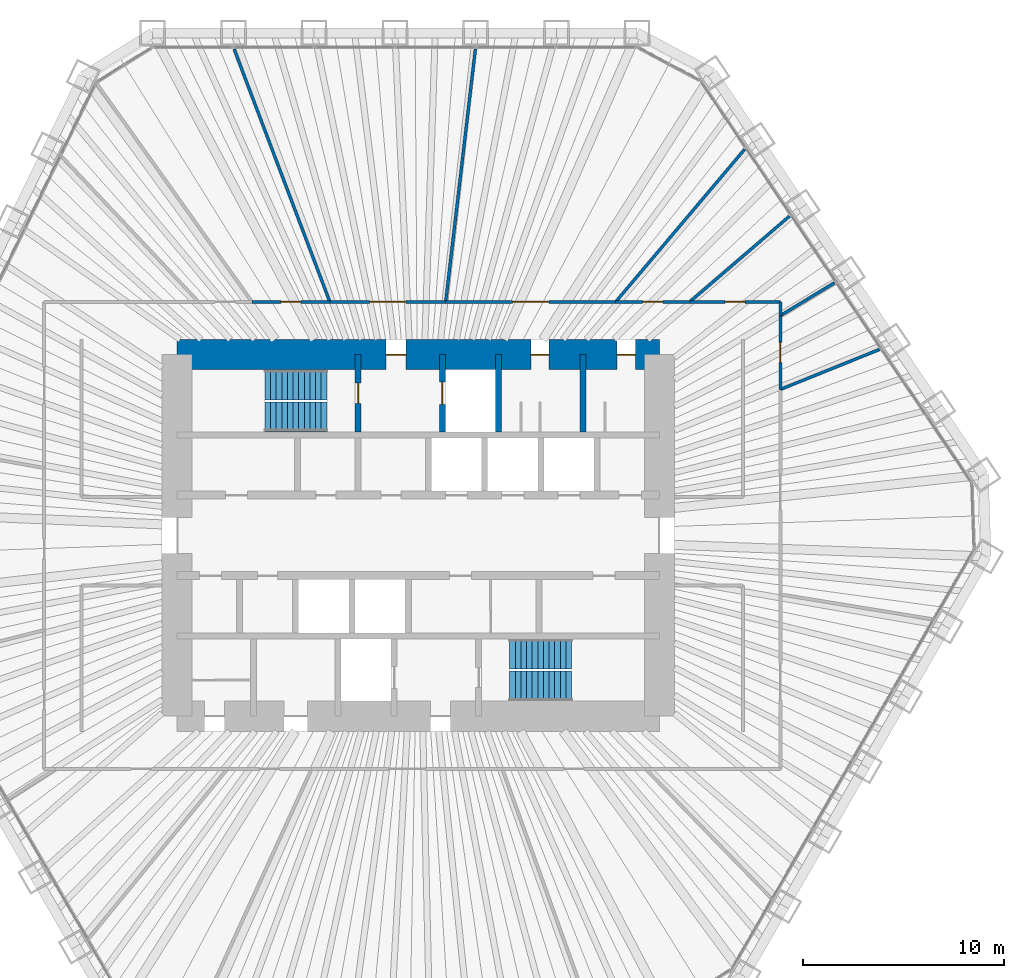
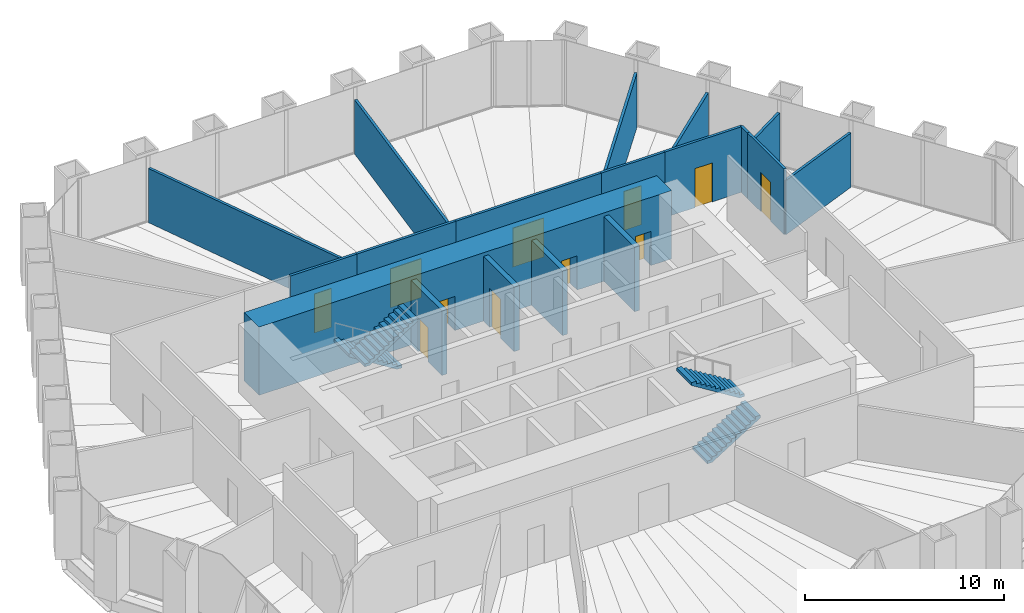
# One storey, part 12 of 13: 18 walls, 11 doors, 4 stair flights, 11 openings, 2 elements without a shape of their own.
"""IFC4 building model written with IfcOpenShell, lengths in metres."""

from ifc_helpers import new_model, si_unit, direction, frame, frame_2d, origin, place, context, subcontext, project, spatial, polyline, rectangle, outline, extrude, material, layer, layer_set, type_object, element, fill, aggregate, save


model = new_model("IFC4")

# Units and contexts
model_context = context("Model", 3, precision=1e-05, world=origin(), true_north=direction((0.0, 1.0)))
body_context = subcontext(model_context, "Body", "Model", "MODEL_VIEW")
ifc_project = project(units=[si_unit("LENGTHUNIT", "METRE"), si_unit("AREAUNIT", "SQUARE_METRE"), si_unit("VOLUMEUNIT", "CUBIC_METRE"), si_unit("PLANEANGLEUNIT", "RADIAN"), si_unit("MASSUNIT", "GRAM", prefix="KILO")], contexts=[model_context])

# Site, building, storey
site_placement = place(None, origin())
site = spatial("IfcSite", under=ifc_project, at=site_placement, CompositionType="ELEMENT")
building_placement = place(site_placement, origin())
building = spatial("IfcBuilding", under=site, at=building_placement, Name="Qingtian Harvest Tower", CompositionType="ELEMENT")
storey_placement = place(building_placement, frame((0.0, 0.0, 153.39990234375)))
storey = spatial("IfcBuildingStorey", under=building, at=storey_placement, Name="L32", CompositionType="ELEMENT", Elevation=153.39990234375)

# Wall, opening, door
ifc_material_1 = material(Name="Precast concrete shaft panel", Category="concrete")
ifc_layer_1 = layer(ifc_material_1, 0.300048828125)
ifc_layer_set_1 = layer_set([ifc_layer_1], Name="Core shaft partition SW1 300")
wall_type_1 = type_object("IfcWallType", Name="Core shaft partition SW1 300", PredefinedType="PARTITIONING", material=ifc_layer_set_1)
wall_1_placement = place(storey_placement, frame((-3.0, 5.14990234375, 0.0), z_axis=(0.0, 0.0, 1.0), x_axis=(0.0, 1.0, 0.0)))
wall_1 = element("IfcWall", 1, at=wall_1_placement, inside=storey, type_object=wall_type_1, Name="Core shaft partition XN1 L32", PredefinedType="PARTITIONING", context=body_context, shape_type="SweptSolid", body=[
    extrude(rectangle(XDim=3.85009765625, YDim=0.300048828125, at=frame_2d((1.925048828125, 0.0))), origin(), (0.0, 0.0, 1.0), 3.97998046875),
])
opening_1_placement = place(wall_1_placement, frame((1.425048828125, 0.0, 0.0)))
opening_1 = element("IfcOpeningElement", 2, at=opening_1_placement, cuts=wall_1, Name="Opening FD1", PredefinedType="OPENING", context=body_context, shape_type="SweptSolid", body=[
    extrude(rectangle(XDim=1.0, YDim=2.10009765625, at=frame_2d((0.5, 1.050048828125))), frame((0.0, 0.159912109375, 0.0), z_axis=(0.0, -1.0, 0.0), x_axis=(1.0, 0.0, 0.0)), (0.0, 0.0, 1.0), 0.320068359375),
])
ifc_material_2 = material(Name="Steel-faced door leaf", Category="steel")
door_type_1 = type_object("IfcDoorType", Name="Fire door FD1 single 1 HR", OperationType="SINGLE_SWING_LEFT", PredefinedType="DOOR", material=ifc_material_2)
door_1_placement = place(opening_1_placement, origin())
door_1 = element("IfcDoor", 3, at=door_1_placement, inside=storey, type_object=door_type_1, Name="S1 door L32", OperationType="SINGLE_SWING_RIGHT", OverallHeight=2.10009765625, OverallWidth=1.0, PredefinedType="DOOR", context=body_context, shape_type="SweptSolid", body=[
    extrude(rectangle(XDim=1.0, YDim=2.10009765625, at=frame_2d((0.5, 1.050048828125))), frame((0.0, 0.02490234375, 0.0), z_axis=(0.0, -1.0, 0.0), x_axis=(1.0, 0.0, 0.0)), (0.0, 0.0, 1.0), 0.050048828125),
])
fill(opening_1, door_1)

wall_2_placement = place(storey_placement, frame((1.199951171875, 5.14990234375, 0.0), z_axis=(0.0, 0.0, 1.0), x_axis=(0.0, 1.0, 0.0)))
wall_2 = element("IfcWall", 4, at=wall_2_placement, inside=storey, type_object=wall_type_1, Name="Core shaft partition XN2 L32", PredefinedType="PARTITIONING", context=body_context, shape_type="SweptSolid", body=[
    extrude(rectangle(XDim=3.85009765625, YDim=0.300048828125, at=frame_2d((1.925048828125, 0.0))), origin(), (0.0, 0.0, 1.0), 3.97998046875),
])
opening_2_placement = place(wall_2_placement, frame((1.375, 0.0, 0.0)))
opening_2 = element("IfcOpeningElement", 5, at=opening_2_placement, cuts=wall_2, Name="Opening LD1", PredefinedType="OPENING", context=body_context, shape_type="SweptSolid", body=[
    extrude(rectangle(XDim=1.10009765625, YDim=2.39990234375, at=frame_2d((0.550048828125, 1.199951171875))), frame((0.0, 0.159912109375, 0.0), z_axis=(0.0, -1.0, 0.0), x_axis=(1.0, 0.0, 0.0)), (0.0, 0.0, 1.0), 0.320068359375),
])
ifc_material_3 = material(Name="Stainless steel lift landing door", Category="steel")
door_type_2 = type_object("IfcDoorType", Name="Lift landing door LD1 1 HR", OperationType="DOUBLE_DOOR_SLIDING", PredefinedType="DOOR", material=ifc_material_3)
door_2_placement = place(opening_2_placement, origin())
door_2 = element("IfcDoor", 6, at=door_2_placement, inside=storey, type_object=door_type_2, Name="FL1 landing door L32", OperationType="DOUBLE_DOOR_SLIDING", OverallHeight=2.39990234375, OverallWidth=1.10009765625, PredefinedType="DOOR", context=body_context, shape_type="SweptSolid", body=[
    extrude(rectangle(XDim=1.10009765625, YDim=2.39990234375, at=frame_2d((0.550048828125, 1.199951171875))), frame((0.0, 0.02490234375, 0.0), z_axis=(0.0, -1.0, 0.0), x_axis=(1.0, 0.0, 0.0)), (0.0, 0.0, 1.0), 0.050048828125),
])
fill(opening_2, door_2)

# Walls
for number, where, z_axis, x_axis, name in (
    (7, (4.0, 5.14990234375, 0.0), (0.0, 0.0, 1.0), (0.0, 1.0, 0.0), "Core shaft partition XN3 L32"),
    (8, (8.199951171875, 5.14990234375, 0.0), (0.0, 0.0, 1.0), (0.0, 1.0, 0.0), "Core shaft partition XN4 L32"),
):
    element("IfcWall", number, at=place(storey_placement, frame(where, z_axis=z_axis, x_axis=x_axis)), inside=storey, type_object=wall_type_1, Name=name, PredefinedType="PARTITIONING", context=body_context, shape_type="SweptSolid", body=[
        extrude(rectangle(XDim=3.85009765625, YDim=0.300048828125, at=frame_2d((1.925048828125, 0.0))), origin(), (0.0, 0.0, 1.0), 3.97998046875),
    ])

# Wall, openings, doors
ifc_material_4 = material(Name="Concrete fc' 70 MPa", Category="concrete")
ifc_layer_2 = layer(ifc_material_4, 1.5)
ifc_layer_set_2 = layer_set([ifc_layer_2], Name="Core wall RC1 1500")
wall_type_2 = type_object("IfcWallType", Name="Core wall RC1 1500", PredefinedType="SHEAR", material=ifc_layer_set_2)
wall_3_placement = place(storey_placement, frame((-12.0, 9.0, 0.0), z_axis=(0.0, 0.0, 1.0), x_axis=(1.0, 0.0, 0.0)))
wall_3 = element("IfcWall", 9, at=wall_3_placement, inside=storey, type_object=wall_type_2, Name="Core wall CN L32", PredefinedType="SHEAR", context=body_context, shape_type="SweptSolid", body=[
    extrude(rectangle(XDim=24.0, YDim=1.5, at=frame_2d((12.0, 0.0))), origin(), (0.0, 0.0, 1.0), 4.2001953125),
])
opening_3_placement = place(wall_3_placement, frame((10.39990234375, 0.0, 0.0)))
opening_3 = element("IfcOpeningElement", 10, at=opening_3_placement, cuts=wall_3, Name="Opening FD1", PredefinedType="OPENING", context=body_context, shape_type="SweptSolid", body=[
    extrude(rectangle(XDim=1.0, YDim=2.10009765625, at=frame_2d((0.5, 1.050048828125))), frame((0.0, 0.760009765625, 0.0), z_axis=(0.0, -1.0, 0.0), x_axis=(1.0, 0.0, 0.0)), (0.0, 0.0, 1.0), 1.52001953125),
])
opening_4_placement = place(wall_3_placement, frame((17.60009765625, 0.0, 0.0)))
opening_4 = element("IfcOpeningElement", 11, at=opening_4_placement, cuts=wall_3, Name="Opening D1", PredefinedType="OPENING", context=body_context, shape_type="SweptSolid", body=[
    extrude(rectangle(XDim=0.89990234375, YDim=2.10009765625, at=frame_2d((0.449951171875, 1.050048828125))), frame((0.0, 0.760009765625, 0.0), z_axis=(0.0, -1.0, 0.0), x_axis=(1.0, 0.0, 0.0)), (0.0, 0.0, 1.0), 1.52001953125),
])
opening_5_placement = place(wall_3_placement, frame((21.89990234375, 0.0, 0.0)))
opening_5 = element("IfcOpeningElement", 12, at=opening_5_placement, cuts=wall_3, Name="Opening D1", PredefinedType="OPENING", context=body_context, shape_type="SweptSolid", body=[
    extrude(rectangle(XDim=0.89990234375, YDim=2.10009765625, at=frame_2d((0.449951171875, 1.050048828125))), frame((0.0, 0.760009765625, 0.0), z_axis=(0.0, -1.0, 0.0), x_axis=(1.0, 0.0, 0.0)), (0.0, 0.0, 1.0), 1.52001953125),
])
door_3_placement = place(opening_3_placement, origin())
door_3 = element("IfcDoor", 13, at=door_3_placement, inside=storey, type_object=door_type_1, Name="V1 door L32", OperationType="SINGLE_SWING_RIGHT", OverallHeight=2.10009765625, OverallWidth=1.0, PredefinedType="DOOR", context=body_context, shape_type="SweptSolid", body=[
    extrude(rectangle(XDim=1.0, YDim=2.10009765625, at=frame_2d((0.5, 1.050048828125))), frame((0.0, 0.02490234375, 0.0), z_axis=(0.0, -1.0, 0.0), x_axis=(1.0, 0.0, 0.0)), (0.0, 0.0, 1.0), 0.050048828125),
])
fill(opening_3, door_3)
ifc_material_5 = material(Name="Laminated timber door leaf", Category="wood")
door_type_3 = type_object("IfcDoorType", Name="Toilet door D1 single", OperationType="SINGLE_SWING_LEFT", PredefinedType="DOOR", material=ifc_material_5)
door_4_placement = place(opening_4_placement, origin())
door_4 = element("IfcDoor", 14, at=door_4_placement, inside=storey, type_object=door_type_3, Name="WCM door L32", OperationType="SINGLE_SWING_RIGHT", OverallHeight=2.10009765625, OverallWidth=0.89990234375, PredefinedType="DOOR", context=body_context, shape_type="SweptSolid", body=[
    extrude(rectangle(XDim=0.89990234375, YDim=2.10009765625, at=frame_2d((0.449951171875, 1.050048828125))), frame((0.0, 0.02490234375, 0.0), z_axis=(0.0, -1.0, 0.0), x_axis=(1.0, 0.0, 0.0)), (0.0, 0.0, 1.0), 0.050048828125),
])
fill(opening_4, door_4)
door_5_placement = place(opening_5_placement, origin())
door_5 = element("IfcDoor", 15, at=door_5_placement, inside=storey, type_object=door_type_3, Name="WCF door L32", OperationType="SINGLE_SWING_RIGHT", OverallHeight=2.10009765625, OverallWidth=0.89990234375, PredefinedType="DOOR", context=body_context, shape_type="SweptSolid", body=[
    extrude(rectangle(XDim=0.89990234375, YDim=2.10009765625, at=frame_2d((0.449951171875, 1.050048828125))), frame((0.0, 0.02490234375, 0.0), z_axis=(0.0, -1.0, 0.0), x_axis=(1.0, 0.0, 0.0)), (0.0, 0.0, 1.0), 0.050048828125),
])
fill(opening_5, door_5)

# Wall
ifc_material_6 = material(Name="Gypsum board on steel studs", Category="steel")
ifc_layer_3 = layer(ifc_material_6, 0.14990234375)
ifc_layer_set_3 = layer_set([ifc_layer_3], Name="Partition PT1 150")
wall_type_3 = type_object("IfcWallType", Name="Partition PT1 150", PredefinedType="PARTITIONING", material=ifc_layer_set_3)
wall_4_placement = place(storey_placement, frame((16.2373046875, 19.21044921875, 0.0), z_axis=(0.0, 0.0, 1.0), x_axis=(-0.645526723652, -0.763737683404, 0.0)))
element("IfcWall", 16, at=wall_4_placement, inside=storey, type_object=wall_type_3, Name="Private office wall L32", PredefinedType="PARTITIONING", context=body_context, shape_type="SweptSolid", body=[
    extrude(rectangle(XDim=9.93212890625, YDim=0.14990234375, at=frame_2d((4.966064453125, 0.0))), origin(), (0.0, 0.0, 1.0), 3.330078125),
])

# Wall, opening, door
wall_5_placement = place(storey_placement, frame((9.825927734375, 11.625, 0.0), z_axis=(0.0, 0.0, 1.0), x_axis=(1.0, 0.0, 0.0)))
wall_5 = element("IfcWall", 17, at=wall_5_placement, inside=storey, type_object=wall_type_3, Name="Private office wall L32", PredefinedType="PARTITIONING", context=body_context, shape_type="SweptSolid", body=[
    extrude(rectangle(XDim=3.689453125, YDim=0.14990234375, at=frame_2d((1.8447265625, 0.0))), origin(), (0.0, 0.0, 1.0), 4.030029296875),
])
opening_6_placement = place(wall_5_placement, frame((1.3447265625, 0.0, 0.0)))
opening_6 = element("IfcOpeningElement", 18, at=opening_6_placement, cuts=wall_5, Name="Opening D2", PredefinedType="OPENING", context=body_context, shape_type="SweptSolid", body=[
    extrude(rectangle(XDim=1.0, YDim=2.39990234375, at=frame_2d((0.5, 1.199951171875))), frame((0.0, 0.0849609375, 0.0), z_axis=(0.0, -1.0, 0.0), x_axis=(1.0, 0.0, 0.0)), (0.0, 0.0, 1.0), 0.169921875),
])
ifc_material_7 = material(Name="Laminated timber door leaf", Category="wood")
door_type_4 = type_object("IfcDoorType", Name="Room door D2 single", OperationType="SINGLE_SWING_LEFT", PredefinedType="DOOR", material=ifc_material_7)
door_6_placement = place(opening_6_placement, origin())
door_6 = element("IfcDoor", 19, at=door_6_placement, inside=storey, type_object=door_type_4, Name="Private office door L32", OperationType="SINGLE_SWING_LEFT", OverallHeight=2.39990234375, OverallWidth=1.0, PredefinedType="DOOR", context=body_context, shape_type="SweptSolid", body=[
    extrude(rectangle(XDim=1.0, YDim=2.39990234375, at=frame_2d((0.5, 1.199951171875))), frame((0.0, 0.02490234375, 0.0), z_axis=(0.0, -1.0, 0.0), x_axis=(1.0, 0.0, 0.0)), (0.0, 0.0, 1.0), 0.050048828125),
])
fill(opening_6, door_6)

# Wall
wall_6_placement = place(storey_placement, frame((18.4736328125, 15.8896484375, 0.0), z_axis=(0.0, 0.0, 1.0), x_axis=(-0.758143486665, -0.65208776528, 0.0)))
element("IfcWall", 20, at=wall_6_placement, inside=storey, type_object=wall_type_3, Name="Private office wall L32", PredefinedType="PARTITIONING", context=body_context, shape_type="SweptSolid", body=[
    extrude(rectangle(XDim=6.5400390625, YDim=0.14990234375, at=frame_2d((3.27001953125, 0.0))), origin(), (0.0, 0.0, 1.0), 3.330078125),
])

# Wall, opening, door
wall_7_placement = place(storey_placement, frame((13.515380859375, 11.625, 0.0), z_axis=(0.0, 0.0, 1.0), x_axis=(1.0, 0.0, 0.0)))
wall_7 = element("IfcWall", 21, at=wall_7_placement, inside=storey, type_object=wall_type_3, Name="Private office wall L32", PredefinedType="PARTITIONING", context=body_context, shape_type="SweptSolid", body=[
    extrude(rectangle(XDim=4.509521484375, YDim=0.14990234375, at=frame_2d((2.2548828125, 0.0))), origin(), (0.0, 0.0, 1.0), 4.030029296875),
])
opening_7_placement = place(wall_7_placement, frame((1.7548828125, 0.0, 0.0)))
opening_7 = element("IfcOpeningElement", 22, at=opening_7_placement, cuts=wall_7, Name="Opening D2", PredefinedType="OPENING", context=body_context, shape_type="SweptSolid", body=[
    extrude(rectangle(XDim=1.0, YDim=2.39990234375, at=frame_2d((0.5, 1.199951171875))), frame((0.0, 0.0849609375, 0.0), z_axis=(0.0, -1.0, 0.0), x_axis=(1.0, 0.0, 0.0)), (0.0, 0.0, 1.0), 0.169921875),
])
door_7_placement = place(opening_7_placement, origin())
door_7 = element("IfcDoor", 23, at=door_7_placement, inside=storey, type_object=door_type_4, Name="Private office door L32", OperationType="SINGLE_SWING_RIGHT", OverallHeight=2.39990234375, OverallWidth=1.0, PredefinedType="DOOR", context=body_context, shape_type="SweptSolid", body=[
    extrude(rectangle(XDim=1.0, YDim=2.39990234375, at=frame_2d((0.5, 1.199951171875))), frame((0.0, 0.02490234375, 0.0), z_axis=(0.0, -1.0, 0.0), x_axis=(1.0, 0.0, 0.0)), (0.0, 0.0, 1.0), 0.050048828125),
])
fill(opening_7, door_7)

# Walls
wall_8_placement = place(storey_placement, frame((18.02490234375, 11.625, 0.0), z_axis=(0.0, 0.0, 1.0), x_axis=(0.0, -1.0, 0.0)))
element("IfcWall", 24, at=wall_8_placement, inside=storey, type_object=wall_type_3, Name="Private office wall L32", PredefinedType="PARTITIONING", context=body_context, shape_type="SweptSolid", body=[
    extrude(rectangle(XDim=0.684326171875, YDim=0.14990234375, at=frame_2d((0.34228515625, 0.0))), origin(), (0.0, 0.0, 1.0), 4.030029296875),
])
wall_9_placement = place(storey_placement, frame((20.71142578125, 12.571044921875, 0.0), z_axis=(0.0, 0.0, 1.0), x_axis=(-0.854890890653, -0.518807830587, 0.0)))
element("IfcWall", 25, at=wall_9_placement, inside=storey, type_object=wall_type_3, Name="Private office wall L32", PredefinedType="PARTITIONING", context=body_context, shape_type="SweptSolid", body=[
    extrude(rectangle(XDim=3.142578125, YDim=0.14990234375, at=frame_2d((1.5712890625, 0.0))), origin(), (0.0, 0.0, 1.0), 3.330078125),
])

# Wall, opening, door
wall_10_placement = place(storey_placement, frame((18.02490234375, 10.940673828125, 0.0), z_axis=(0.0, 0.0, 1.0), x_axis=(0.0, -1.0, 0.0)))
wall_10 = element("IfcWall", 26, at=wall_10_placement, inside=storey, type_object=wall_type_3, Name="Private office wall L32", PredefinedType="PARTITIONING", context=body_context, shape_type="SweptSolid", body=[
    extrude(rectangle(XDim=3.67333984375, YDim=0.14990234375, at=frame_2d((1.836669921875, 0.0))), origin(), (0.0, 0.0, 1.0), 4.030029296875),
])
opening_8_placement = place(wall_10_placement, frame((1.336669921875, 0.0, 0.0)))
opening_8 = element("IfcOpeningElement", 27, at=opening_8_placement, cuts=wall_10, Name="Opening D2", PredefinedType="OPENING", context=body_context, shape_type="SweptSolid", body=[
    extrude(rectangle(XDim=1.0, YDim=2.39990234375, at=frame_2d((0.5, 1.199951171875))), frame((0.0, 0.0849609375, 0.0), z_axis=(0.0, -1.0, 0.0), x_axis=(1.0, 0.0, 0.0)), (0.0, 0.0, 1.0), 0.169921875),
])
door_8_placement = place(opening_8_placement, origin())
door_8 = element("IfcDoor", 28, at=door_8_placement, inside=storey, type_object=door_type_4, Name="Private office door L32", OperationType="SINGLE_SWING_RIGHT", OverallHeight=2.39990234375, OverallWidth=1.0, PredefinedType="DOOR", context=body_context, shape_type="SweptSolid", body=[
    extrude(rectangle(XDim=1.0, YDim=2.39990234375, at=frame_2d((0.5, 1.199951171875))), frame((0.0, 0.02490234375, 0.0), z_axis=(0.0, -1.0, 0.0), x_axis=(1.0, 0.0, 0.0)), (0.0, 0.0, 1.0), 0.050048828125),
])
fill(opening_8, door_8)

# Wall
wall_11_placement = place(storey_placement, frame((22.951416015625, 9.253662109375, 0.0), z_axis=(0.0, 0.0, 1.0), x_axis=(-0.927452527427, -0.37394091695, 0.0)))
element("IfcWall", 29, at=wall_11_placement, inside=storey, type_object=wall_type_3, Name="Meeting room wall L32", PredefinedType="PARTITIONING", context=body_context, shape_type="SweptSolid", body=[
    extrude(rectangle(XDim=5.311767578125, YDim=0.14990234375, at=frame_2d((2.65576171875, 0.0))), origin(), (0.0, 0.0, 1.0), 3.330078125),
])

# Wall, opening, door
wall_12_placement = place(storey_placement, frame((-8.276611328125, 11.625, 0.0), z_axis=(0.0, 0.0, 1.0), x_axis=(1.0, 0.0, 0.0)))
wall_12 = element("IfcWall", 30, at=wall_12_placement, inside=storey, type_object=wall_type_3, Name="Private office wall L32", PredefinedType="PARTITIONING", context=body_context, shape_type="SweptSolid", body=[
    extrude(rectangle(XDim=3.8740234375, YDim=0.14990234375, at=frame_2d((1.93701171875, 0.0))), origin(), (0.0, 0.0, 1.0), 4.030029296875),
])
opening_9_placement = place(wall_12_placement, frame((1.43701171875, 0.0, 0.0)))
opening_9 = element("IfcOpeningElement", 31, at=opening_9_placement, cuts=wall_12, Name="Opening D2", PredefinedType="OPENING", context=body_context, shape_type="SweptSolid", body=[
    extrude(rectangle(XDim=1.0, YDim=2.39990234375, at=frame_2d((0.5, 1.199951171875))), frame((0.0, 0.0849609375, 0.0), z_axis=(0.0, -1.0, 0.0), x_axis=(1.0, 0.0, 0.0)), (0.0, 0.0, 1.0), 0.169921875),
])
door_9_placement = place(opening_9_placement, origin())
door_9 = element("IfcDoor", 32, at=door_9_placement, inside=storey, type_object=door_type_4, Name="Private office door L32", OperationType="SINGLE_SWING_RIGHT", OverallHeight=2.39990234375, OverallWidth=1.0, PredefinedType="DOOR", context=body_context, shape_type="SweptSolid", body=[
    extrude(rectangle(XDim=1.0, YDim=2.39990234375, at=frame_2d((0.5, 1.199951171875))), frame((0.0, 0.02490234375, 0.0), z_axis=(0.0, -1.0, 0.0), x_axis=(1.0, 0.0, 0.0)), (0.0, 0.0, 1.0), 0.050048828125),
])
fill(opening_9, door_9)

# Wall
wall_13_placement = place(storey_placement, frame((-9.167236328125, 24.20654296875, 0.0), z_axis=(0.0, 0.0, 1.0), x_axis=(0.354156368181, -0.935186220427, 0.0)))
element("IfcWall", 33, at=wall_13_placement, inside=storey, type_object=wall_type_3, Name="Collaboration lounge wall L32", PredefinedType="PARTITIONING", context=body_context, shape_type="SweptSolid", body=[
    extrude(rectangle(XDim=13.45361328125, YDim=0.14990234375, at=frame_2d((6.726806640625, 0.0))), origin(), (0.0, 0.0, 1.0), 3.330078125),
])

# Wall, opening, door
wall_14_placement = place(storey_placement, frame((-4.402587890625, 11.625, 0.0), z_axis=(0.0, 0.0, 1.0), x_axis=(1.0, 0.0, 0.0)))
wall_14 = element("IfcWall", 34, at=wall_14_placement, inside=storey, type_object=wall_type_3, Name="Collaboration lounge wall L32", PredefinedType="PARTITIONING", context=body_context, shape_type="SweptSolid", body=[
    extrude(rectangle(XDim=5.768310546875, YDim=0.14990234375, at=frame_2d((2.88427734375, 0.0))), origin(), (0.0, 0.0, 1.0), 4.030029296875),
])
opening_10_placement = place(wall_14_placement, frame((1.984130859375, 0.0, 0.0)))
opening_10 = element("IfcOpeningElement", 35, at=opening_10_placement, cuts=wall_14, Name="Opening D3", PredefinedType="OPENING", context=body_context, shape_type="SweptSolid", body=[
    extrude(rectangle(XDim=1.800048828125, YDim=2.39990234375, at=frame_2d((0.89990234375, 1.199951171875))), frame((0.0, 0.0849609375, 0.0), z_axis=(0.0, -1.0, 0.0), x_axis=(1.0, 0.0, 0.0)), (0.0, 0.0, 1.0), 0.169921875),
])
ifc_material_8 = material(Name="Laminated timber door leaf", Category="wood")
door_type_5 = type_object("IfcDoorType", Name="Room door D3 double", OperationType="DOUBLE_DOOR_DOUBLE_SWING", PredefinedType="DOOR", material=ifc_material_8)
door_10_placement = place(opening_10_placement, origin())
door_10 = element("IfcDoor", 36, at=door_10_placement, inside=storey, type_object=door_type_5, Name="Collaboration lounge door L32", OperationType="DOUBLE_DOOR_DOUBLE_SWING", OverallHeight=2.39990234375, OverallWidth=1.800048828125, PredefinedType="DOOR", context=body_context, shape_type="SweptSolid", body=[
    extrude(rectangle(XDim=1.800048828125, YDim=2.39990234375, at=frame_2d((0.89990234375, 1.199951171875))), frame((0.0, 0.02490234375, 0.0), z_axis=(0.0, -1.0, 0.0), x_axis=(1.0, 0.0, 0.0)), (0.0, 0.0, 1.0), 0.050048828125),
])
fill(opening_10, door_10)

# Wall
wall_15_placement = place(storey_placement, frame((2.843017578125, 24.20068359375, 0.0), z_axis=(0.0, 0.0, 1.0), x_axis=(-0.116670084723, -0.993170726175, 0.0)))
element("IfcWall", 37, at=wall_15_placement, inside=storey, type_object=wall_type_3, Name="Workplace zone wall L32", PredefinedType="PARTITIONING", context=body_context, shape_type="SweptSolid", body=[
    extrude(rectangle(XDim=12.662109375, YDim=0.14990234375, at=frame_2d((6.3310546875, 0.0))), origin(), (0.0, 0.0, 1.0), 3.330078125),
])

# Wall, opening, door
wall_16_placement = place(storey_placement, frame((1.36572265625, 11.625, 0.0), z_axis=(0.0, 0.0, 1.0), x_axis=(1.0, 0.0, 0.0)))
wall_16 = element("IfcWall", 38, at=wall_16_placement, inside=storey, type_object=wall_type_3, Name="Workplace zone wall L32", PredefinedType="PARTITIONING", context=body_context, shape_type="SweptSolid", body=[
    extrude(rectangle(XDim=8.460205078125, YDim=0.14990234375, at=frame_2d((4.22998046875, 0.0))), origin(), (0.0, 0.0, 1.0), 4.030029296875),
])
opening_11_placement = place(wall_16_placement, frame((3.330078125, 0.0, 0.0)))
opening_11 = element("IfcOpeningElement", 39, at=opening_11_placement, cuts=wall_16, Name="Opening D3", PredefinedType="OPENING", context=body_context, shape_type="SweptSolid", body=[
    extrude(rectangle(XDim=1.800048828125, YDim=2.39990234375, at=frame_2d((0.89990234375, 1.199951171875))), frame((0.0, 0.0849609375, 0.0), z_axis=(0.0, -1.0, 0.0), x_axis=(1.0, 0.0, 0.0)), (0.0, 0.0, 1.0), 0.169921875),
])
door_11_placement = place(opening_11_placement, origin())
door_11 = element("IfcDoor", 40, at=door_11_placement, inside=storey, type_object=door_type_5, Name="Workplace zone door L32", OperationType="DOUBLE_DOOR_DOUBLE_SWING", OverallHeight=2.39990234375, OverallWidth=1.800048828125, PredefinedType="DOOR", context=body_context, shape_type="SweptSolid", body=[
    extrude(rectangle(XDim=1.800048828125, YDim=2.39990234375, at=frame_2d((0.89990234375, 1.199951171875))), frame((0.0, 0.02490234375, 0.0), z_axis=(0.0, -1.0, 0.0), x_axis=(1.0, 0.0, 0.0)), (0.0, 0.0, 1.0), 0.050048828125),
])
fill(opening_11, door_11)

# Stair, stair flights
ifc_material_9 = material(Name="Concrete fc' 35 MPa", Category="concrete")
stair_type = type_object("IfcStairType", Name="Special stair ST3 4200", PredefinedType="HALF_TURN_STAIR", material=ifc_material_9)
stair_1_placement = place(storey_placement, origin())
stair_1 = element("IfcStair", 41, at=stair_1_placement, inside=storey, type_object=stair_type, Name="Special stair S1 L32", PredefinedType="HALF_TURN_STAIR")
ifc_material_10 = material(Name="Concrete fc' 35 MPa", Category="concrete")
stair_flight_type = type_object("IfcStairFlightType", Name="Stair flight SF3 4200", PredefinedType="STRAIGHT", material=ifc_material_10)
stair_flight_1_placement = place(storey_placement, frame((-4.550048828125, 7.5, 0.0), z_axis=(0.0, 0.0, 1.0), x_axis=(-1.0, 0.0, 0.0)))
stair_flight_1 = element("IfcStairFlight", 42, at=stair_flight_1_placement, type_object=stair_flight_type, Name="S1 flight 1", NumberOfRisers=12, NumberOfTreads=11, PredefinedType="STRAIGHT", RiserHeight=0.175, TreadLength=0.28, context=body_context, shape_type="SweptSolid", body=[
    extrude(outline(polyline([(0.0, 0.0), (0.0, 0.175048828125), (0.280029296875, 0.175048828125), (0.280029296875, 0.35009765625), (0.56005859375, 0.35009765625), (0.56005859375, 0.52490234375), (0.840087890625, 0.52490234375), (0.840087890625, 0.699951171875), (1.1201171875, 0.699951171875), (1.1201171875, 0.875), (1.39990234375, 0.875), (1.39990234375, 1.050048828125), (1.679931640625, 1.050048828125), (1.679931640625, 1.22509765625), (1.9599609375, 1.22509765625), (1.9599609375, 1.39990234375), (2.239990234375, 1.39990234375), (2.239990234375, 1.574951171875), (2.52001953125, 1.574951171875), (2.52001953125, 1.75), (2.800048828125, 1.75), (2.800048828125, 1.925048828125), (3.080078125, 1.925048828125), (3.080078125, 2.10009765625), (3.080078125, 1.748291015625), (0.28271484375, 0.0), (0.0, 0.0)])), frame((0.0, 0.75, 0.0), z_axis=(0.0, -1.0, 0.0), x_axis=(1.0, 0.0, 0.0)), (0.0, 0.0, 1.0), 1.5),
])
stair_flight_2_placement = place(storey_placement, frame((-7.6298828125, 5.89990234375, 2.10009765625), z_axis=(0.0, 0.0, 1.0), x_axis=(1.0, 0.0, 0.0)))
stair_flight_2 = element("IfcStairFlight", 43, at=stair_flight_2_placement, type_object=stair_flight_type, Name="S1 flight 2", NumberOfRisers=12, NumberOfTreads=11, PredefinedType="STRAIGHT", RiserHeight=0.175, TreadLength=0.28, context=body_context, shape_type="SweptSolid", body=[
    extrude(outline(polyline([(0.0, 0.0), (0.0, 0.175048828125), (0.280029296875, 0.175048828125), (0.280029296875, 0.35009765625), (0.56005859375, 0.35009765625), (0.56005859375, 0.52490234375), (0.840087890625, 0.52490234375), (0.840087890625, 0.699951171875), (1.1201171875, 0.699951171875), (1.1201171875, 0.875), (1.39990234375, 0.875), (1.39990234375, 1.050048828125), (1.679931640625, 1.050048828125), (1.679931640625, 1.22509765625), (1.9599609375, 1.22509765625), (1.9599609375, 1.39990234375), (2.239990234375, 1.39990234375), (2.239990234375, 1.574951171875), (2.52001953125, 1.574951171875), (2.52001953125, 1.75), (2.800048828125, 1.75), (2.800048828125, 1.925048828125), (3.080078125, 1.925048828125), (3.080078125, 2.10009765625), (3.080078125, 1.748291015625), (0.28271484375, 0.0), (0.0, 0.0)])), frame((0.0, 0.75, 0.0), z_axis=(0.0, -1.0, 0.0), x_axis=(1.0, 0.0, 0.0)), (0.0, 0.0, 1.0), 1.5),
])
aggregate(stair_1, [stair_flight_1, stair_flight_2])

stair_2_placement = place(storey_placement, origin())
stair_2 = element("IfcStair", 44, at=stair_2_placement, inside=storey, type_object=stair_type, Name="Special stair S2 L32", PredefinedType="HALF_TURN_STAIR")
stair_flight_3_placement = place(storey_placement, frame((4.550048828125, -7.5, 0.0), z_axis=(0.0, 0.0, 1.0), x_axis=(1.0, 0.0, 0.0)))
stair_flight_3 = element("IfcStairFlight", 45, at=stair_flight_3_placement, type_object=stair_flight_type, Name="S2 flight 1", NumberOfRisers=12, NumberOfTreads=11, PredefinedType="STRAIGHT", RiserHeight=0.175, TreadLength=0.28, context=body_context, shape_type="SweptSolid", body=[
    extrude(outline(polyline([(0.0, 0.0), (0.0, 0.175048828125), (0.280029296875, 0.175048828125), (0.280029296875, 0.35009765625), (0.56005859375, 0.35009765625), (0.56005859375, 0.52490234375), (0.840087890625, 0.52490234375), (0.840087890625, 0.699951171875), (1.1201171875, 0.699951171875), (1.1201171875, 0.875), (1.39990234375, 0.875), (1.39990234375, 1.050048828125), (1.679931640625, 1.050048828125), (1.679931640625, 1.22509765625), (1.9599609375, 1.22509765625), (1.9599609375, 1.39990234375), (2.239990234375, 1.39990234375), (2.239990234375, 1.574951171875), (2.52001953125, 1.574951171875), (2.52001953125, 1.75), (2.800048828125, 1.75), (2.800048828125, 1.925048828125), (3.080078125, 1.925048828125), (3.080078125, 2.10009765625), (3.080078125, 1.748291015625), (0.28271484375, 0.0), (0.0, 0.0)])), frame((0.0, 0.75, 0.0), z_axis=(0.0, -1.0, 0.0), x_axis=(1.0, 0.0, 0.0)), (0.0, 0.0, 1.0), 1.5),
])
stair_flight_4_placement = place(storey_placement, frame((7.6298828125, -5.89990234375, 2.10009765625), z_axis=(0.0, 0.0, 1.0), x_axis=(-1.0, 0.0, 0.0)))
stair_flight_4 = element("IfcStairFlight", 46, at=stair_flight_4_placement, type_object=stair_flight_type, Name="S2 flight 2", NumberOfRisers=12, NumberOfTreads=11, PredefinedType="STRAIGHT", RiserHeight=0.175, TreadLength=0.28, context=body_context, shape_type="SweptSolid", body=[
    extrude(outline(polyline([(0.0, 0.0), (0.0, 0.175048828125), (0.280029296875, 0.175048828125), (0.280029296875, 0.35009765625), (0.56005859375, 0.35009765625), (0.56005859375, 0.52490234375), (0.840087890625, 0.52490234375), (0.840087890625, 0.699951171875), (1.1201171875, 0.699951171875), (1.1201171875, 0.875), (1.39990234375, 0.875), (1.39990234375, 1.050048828125), (1.679931640625, 1.050048828125), (1.679931640625, 1.22509765625), (1.9599609375, 1.22509765625), (1.9599609375, 1.39990234375), (2.239990234375, 1.39990234375), (2.239990234375, 1.574951171875), (2.52001953125, 1.574951171875), (2.52001953125, 1.75), (2.800048828125, 1.75), (2.800048828125, 1.925048828125), (3.080078125, 1.925048828125), (3.080078125, 2.10009765625), (3.080078125, 1.748291015625), (0.28271484375, 0.0), (0.0, 0.0)])), frame((0.0, 0.75, 0.0), z_axis=(0.0, -1.0, 0.0), x_axis=(1.0, 0.0, 0.0)), (0.0, 0.0, 1.0), 1.5),
])
aggregate(stair_2, [stair_flight_3, stair_flight_4])

save(model, "model.ifc")
